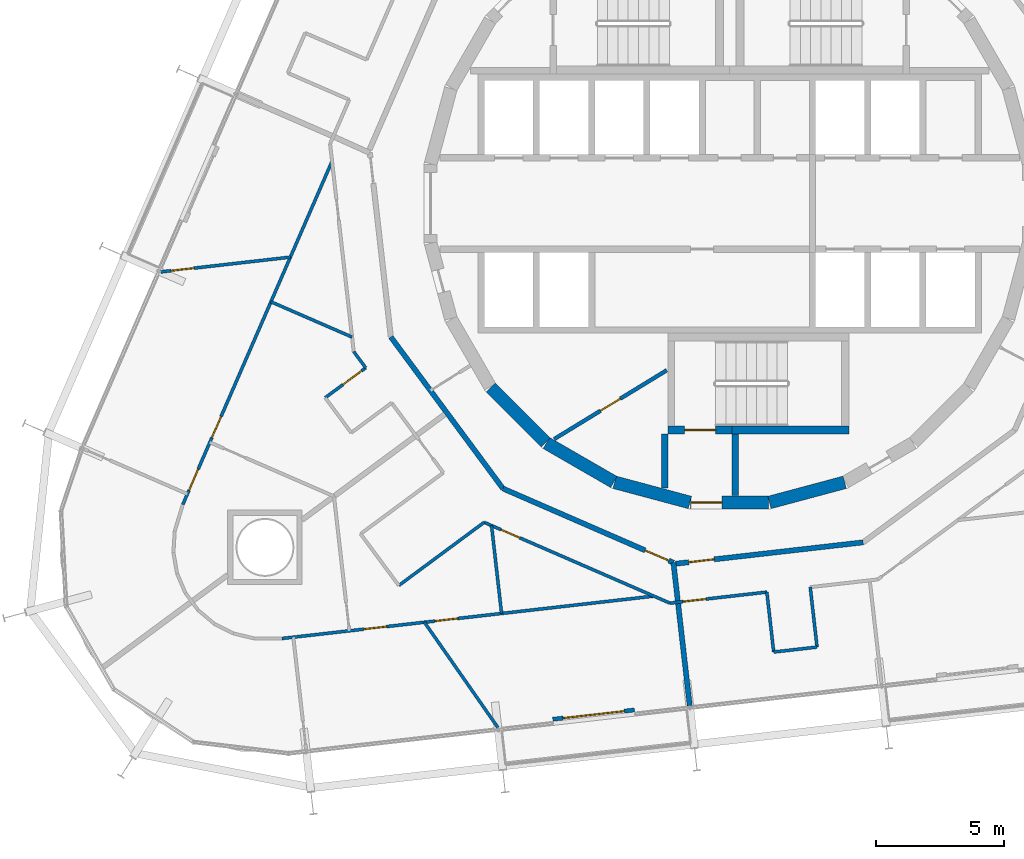
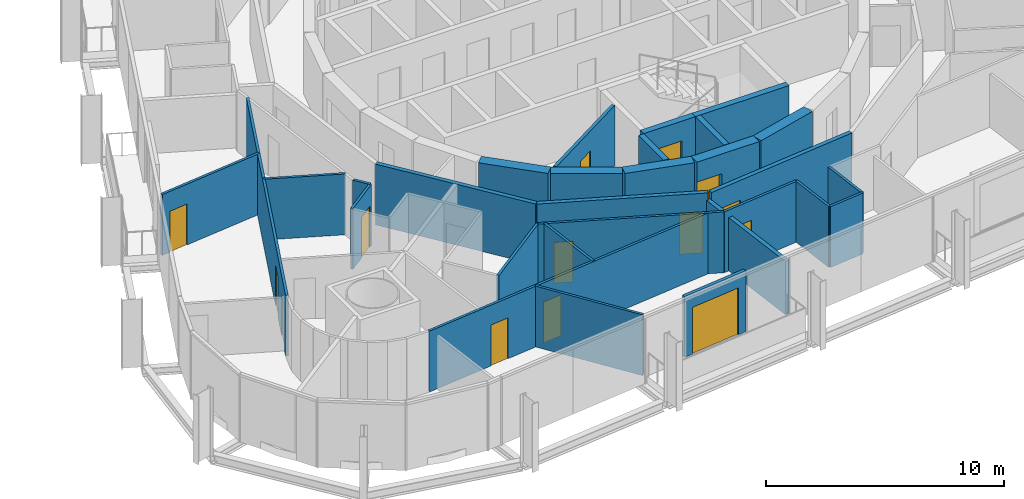
# One storey, part 14 of 21: 29 walls, 14 doors, 14 openings.
"""IFC4 building model written with IfcOpenShell, lengths in metres."""

from ifc_helpers import new_model, si_unit, direction, frame, frame_2d, origin, place, context, subcontext, project, spatial, rectangle, extrude, material, layer, layer_set, type_object, element, fill, save


model = new_model("IFC4")

# Units and contexts
model_context = context("Model", 3, precision=1e-05, world=origin(), true_north=direction((0.0, 1.0)))
body_context = subcontext(model_context, "Body", "Model", "MODEL_VIEW")
ifc_project = project(units=[si_unit("LENGTHUNIT", "METRE"), si_unit("AREAUNIT", "SQUARE_METRE"), si_unit("VOLUMEUNIT", "CUBIC_METRE"), si_unit("PLANEANGLEUNIT", "RADIAN"), si_unit("MASSUNIT", "GRAM", prefix="KILO")], contexts=[model_context])

# Site, building, storey
site_placement = place(None, origin())
site = spatial("IfcSite", under=ifc_project, at=site_placement, CompositionType="ELEMENT")
building_placement = place(site_placement, origin())
building = spatial("IfcBuilding", under=site, at=building_placement, Name="Spindle Arch Residences", CompositionType="ELEMENT")
storey_placement = place(building_placement, frame((0.0, 0.0, 97.699951171875)))
storey = spatial("IfcBuildingStorey", under=building, at=storey_placement, Name="L23", CompositionType="ELEMENT", Elevation=97.699951171875)

# Walls
ifc_material_1 = material(Name="Concrete C50/60", Category="concrete")
ifc_layer_1 = layer(ifc_material_1, 0.5)
ifc_layer_set_1 = layer_set([ifc_layer_1], Name="Core outline wall 500")
wall_type_1 = type_object("IfcWallType", Name="Core outline wall 500", PredefinedType="SHEAR", material=ifc_layer_set_1)
wall_1_placement = place(storey_placement, frame((1.5498046875, -11.642822265625, 0.0), z_axis=(0.0, 0.0, 1.0), x_axis=(0.965948410781, 0.258734743916, 0.0)))
element("IfcWall", 1, at=wall_1_placement, inside=storey, type_object=wall_type_1, Name="Core outline wall 1", PredefinedType="SHEAR", context=body_context, shape_type="SweptSolid", body=[
    extrude(rectangle(XDim=3.03271484375, YDim=0.5, at=frame_2d((1.516357421875, 0.0))), origin(), (0.0, 0.0, 1.0), 3.1201171875),
])
wall_2_placement = place(storey_placement, frame((-9.30810546875, -7.163818359375, 0.0), z_axis=(0.0, 0.0, 1.0), x_axis=(0.707106781187, -0.707106781187, 0.0)))
element("IfcWall", 2, at=wall_2_placement, inside=storey, type_object=wall_type_1, Name="Core outline wall 21", PredefinedType="SHEAR", context=body_context, shape_type="SweptSolid", body=[
    extrude(rectangle(XDim=3.032470703125, YDim=0.5, at=frame_2d((1.51611328125, 0.0))), origin(), (0.0, 0.0, 1.0), 3.1201171875),
])
for number, where, z_axis, x_axis, name in (
    (3, (-7.13671875, -9.32861328125, 0.0), (0.0, 0.0, 1.0), (0.865975092491, -0.500087131594, 0.0), "Core outline wall 22"),
    (4, (-4.479248046875, -10.858154296875, 0.0), (0.0, 0.0, 1.0), (0.965948410781, -0.258734743916, 0.0), "Core outline wall 23"),
):
    element("IfcWall", number, at=place(storey_placement, frame(where, z_axis=z_axis, x_axis=x_axis)), inside=storey, type_object=wall_type_1, Name=name, PredefinedType="SHEAR", context=body_context, shape_type="SweptSolid", body=[
        extrude(rectangle(XDim=3.03271484375, YDim=0.5, at=frame_2d((1.516357421875, 0.0))), origin(), (0.0, 0.0, 1.0), 3.1201171875),
    ])

# Wall, opening, door
wall_3_placement = place(storey_placement, frame((-1.516357421875, -11.647216796875, 0.0), z_axis=(0.0, 0.0, 1.0), x_axis=(1.0, 0.0, 0.0)))
wall_3 = element("IfcWall", 5, at=wall_3_placement, inside=storey, type_object=wall_type_1, Name="Core outline wall 24", PredefinedType="SHEAR", context=body_context, shape_type="SweptSolid", body=[
    extrude(rectangle(XDim=3.03271484375, YDim=0.5, at=frame_2d((1.516357421875, 0.0))), origin(), (0.0, 0.0, 1.0), 3.1201171875),
])
opening_1_placement = place(wall_3_placement, frame((0.016357421875, 0.0, 0.0)))
opening_1 = element("IfcOpeningElement", 6, at=opening_1_placement, cuts=wall_3, Name="Opening R2C0-AD03", PredefinedType="OPENING", context=body_context, shape_type="SweptSolid", body=[
    extrude(rectangle(XDim=1.199951171875, YDim=2.10009765625, at=frame_2d((0.60009765625, 1.050048828125))), frame((0.0, 0.260009765625, 0.0), z_axis=(0.0, -1.0, 0.0), x_axis=(1.0, 0.0, 0.0)), (0.0, 0.0, 1.0), 0.52001953125),
])
ifc_material_2 = material(Name="Steel, fire-resisting door", Category="steel")
door_type_1 = type_object("IfcDoorType", Name="Stair airlock door 1200x2100", OperationType="SINGLE_SWING_LEFT", PredefinedType="DOOR", material=ifc_material_2)
door_1_placement = place(opening_1_placement, origin())
door_1 = element("IfcDoor", 7, at=door_1_placement, inside=storey, type_object=door_type_1, Name="Stair airlock door R2C0-AD03", OperationType="SINGLE_SWING_RIGHT", OverallHeight=2.10009765625, OverallWidth=1.199951171875, PredefinedType="DOOR", context=body_context, shape_type="SweptSolid", body=[
    extrude(rectangle(XDim=1.199951171875, YDim=2.10009765625, at=frame_2d((0.60009765625, 1.050048828125))), frame((0.0, 0.02490234375, 0.0), z_axis=(0.0, -1.0, 0.0), x_axis=(1.0, 0.0, 0.0)), (0.0, 0.0, 1.0), 0.050048828125),
])
fill(opening_1, door_1)

# Wall
ifc_material_3 = material(Name="Calcium silicate block, plastered")
ifc_layer_2 = layer(ifc_material_3, 0.199951171875)
ifc_layer_set_2 = layer_set([ifc_layer_2], Name="Corridor wall 200")
wall_type_2 = type_object("IfcWallType", Name="Corridor wall 200", PredefinedType="STANDARD", material=ifc_layer_set_2)
wall_4_placement = place(storey_placement, frame((-13.1962890625, -5.1982421875, 0.0), z_axis=(0.0, 0.0, 1.0), x_axis=(0.594805187394, -0.803869883159, 0.0)))
element("IfcWall", 8, at=wall_4_placement, inside=storey, type_object=wall_type_2, Name="Corridor wall R2C0-W012", PredefinedType="STANDARD", context=body_context, shape_type="SweptSolid", body=[
    extrude(rectangle(XDim=7.341796875, YDim=0.199951171875, at=frame_2d((3.6708984375, 0.0))), origin(), (0.0, 0.0, 1.0), 3.1201171875),
])

# Wall, opening, door
wall_5_placement = place(storey_placement, frame((-8.829345703125, -11.10009765625, 0.0), z_axis=(0.0, 0.0, 1.0), x_axis=(0.917063622491, -0.398740908742, 0.0)))
wall_5 = element("IfcWall", 9, at=wall_5_placement, inside=storey, type_object=wall_type_2, Name="Corridor wall R2C0-W013", PredefinedType="STANDARD", context=body_context, shape_type="SweptSolid", body=[
    extrude(rectangle(XDim=7.239501953125, YDim=0.199951171875, at=frame_2d((3.61962890625, 0.0))), origin(), (0.0, 0.0, 1.0), 3.1201171875),
])
opening_2_placement = place(wall_5_placement, frame((6.03955078125, 0.0, 0.0)))
opening_2 = element("IfcOpeningElement", 10, at=opening_2_placement, cuts=wall_5, Name="Opening R2C0-FD05", PredefinedType="OPENING", context=body_context, shape_type="SweptSolid", body=[
    extrude(rectangle(XDim=1.0, YDim=2.10009765625, at=frame_2d((0.5, 1.050048828125))), frame((0.0, 0.10986328125, 0.0), z_axis=(0.0, -1.0, 0.0), x_axis=(1.0, 0.0, 0.0)), (0.0, 0.0, 1.0), 0.219970703125),
])
ifc_material_4 = material(Name="Timber, fire-resisting door set", Category="wood")
door_type_2 = type_object("IfcDoorType", Name="Flat entrance door 1000x2100", OperationType="NOTDEFINED", PredefinedType="DOOR", material=ifc_material_4)
door_2_placement = place(opening_2_placement, origin())
door_2 = element("IfcDoor", 11, at=door_2_placement, inside=storey, type_object=door_type_2, Name="Flat entrance door R2C0-FD05", OperationType="SINGLE_SWING_LEFT", OverallHeight=2.10009765625, OverallWidth=1.0, PredefinedType="DOOR", context=body_context, shape_type="SweptSolid", body=[
    extrude(rectangle(XDim=1.0, YDim=2.10009765625, at=frame_2d((0.5, 1.050048828125))), frame((0.0, 0.02490234375, 0.0), z_axis=(0.0, -1.0, 0.0), x_axis=(1.0, 0.0, 0.0)), (0.0, 0.0, 1.0), 0.050048828125),
])
fill(opening_2, door_2)

wall_6_placement = place(storey_placement, frame((-2.096435546875, -14.027587890625, 0.0), z_axis=(0.0, 0.0, 1.0), x_axis=(0.993569170114, 0.113226782163, 0.0)))
wall_6 = element("IfcWall", 12, at=wall_6_placement, inside=storey, type_object=wall_type_2, Name="Corridor wall R2C0-W014", PredefinedType="STANDARD", context=body_context, shape_type="SweptSolid", body=[
    extrude(rectangle(XDim=7.341796875, YDim=0.199951171875, at=frame_2d((3.6708984375, 0.0))), origin(), (0.0, 0.0, 1.0), 3.1201171875),
])
opening_3_placement = place(wall_6_placement, frame((0.5, 0.0, 0.0)))
opening_3 = element("IfcOpeningElement", 13, at=opening_3_placement, cuts=wall_6, Name="Opening R2C0-FD06", PredefinedType="OPENING", context=body_context, shape_type="SweptSolid", body=[
    extrude(rectangle(XDim=1.0, YDim=2.10009765625, at=frame_2d((0.5, 1.050048828125))), frame((0.0, 0.10986328125, 0.0), z_axis=(0.0, -1.0, 0.0), x_axis=(1.0, 0.0, 0.0)), (0.0, 0.0, 1.0), 0.219970703125),
])
door_3_placement = place(opening_3_placement, origin())
door_3 = element("IfcDoor", 14, at=door_3_placement, inside=storey, type_object=door_type_2, Name="Flat entrance door R2C0-FD06", OperationType="SINGLE_SWING_LEFT", OverallHeight=2.10009765625, OverallWidth=1.0, PredefinedType="DOOR", context=body_context, shape_type="SweptSolid", body=[
    extrude(rectangle(XDim=1.0, YDim=2.10009765625, at=frame_2d((0.5, 1.050048828125))), frame((0.0, 0.02490234375, 0.0), z_axis=(0.0, -1.0, 0.0), x_axis=(1.0, 0.0, 0.0)), (0.0, 0.0, 1.0), 0.050048828125),
])
fill(opening_3, door_3)

# Wall
ifc_material_5 = material(Name="Plasterboard on steel studs", Category="steel")
ifc_layer_3 = layer(ifc_material_5, 0.1201171875)
ifc_layer_set_3 = layer_set([ifc_layer_3], Name="Flat partition 120")
wall_type_3 = type_object("IfcWallType", Name="Flat partition 120", PredefinedType="PARTITIONING", material=ifc_layer_set_3)
wall_7_placement = place(storey_placement, frame((-14.64111328125, -5.767333984375, 0.0), z_axis=(0.0, 0.0, 1.0), x_axis=(0.594601337861, -0.804020676982, 0.0)))
element("IfcWall", 15, at=wall_7_placement, inside=storey, type_object=wall_type_3, Name="Flat partition R2C0-W084", PredefinedType="PARTITIONING", context=body_context, shape_type="SweptSolid", body=[
    extrude(rectangle(XDim=0.783447265625, YDim=0.1201171875, at=frame_2d((0.3916015625, 0.0))), origin(), (0.0, 0.0, 1.0), 3.1201171875),
])

# Wall, opening, door
wall_8_placement = place(storey_placement, frame((-14.17529296875, -6.397216796875, 0.0), z_axis=(0.0, 0.0, 1.0), x_axis=(-0.803901491033, -0.594762467474, 0.0)))
wall_8 = element("IfcWall", 16, at=wall_8_placement, inside=storey, type_object=wall_type_3, Name="Flat partition R2C0-W085", PredefinedType="PARTITIONING", context=body_context, shape_type="SweptSolid", body=[
    extrude(rectangle(XDim=1.958740234375, YDim=0.1201171875, at=frame_2d((0.9794921875, 0.0))), origin(), (0.0, 0.0, 1.0), 3.1201171875),
])
opening_4_placement = place(wall_8_placement, frame((0.199951171875, 0.0, 0.0)))
opening_4 = element("IfcOpeningElement", 17, at=opening_4_placement, cuts=wall_8, Name="Opening R2C0-ID21", PredefinedType="OPENING", context=body_context, shape_type="SweptSolid", body=[
    extrude(rectangle(XDim=0.89990234375, YDim=2.10009765625, at=frame_2d((0.449951171875, 1.050048828125))), frame((0.0, 0.070068359375, 0.0), z_axis=(0.0, -1.0, 0.0), x_axis=(1.0, 0.0, 0.0)), (0.0, 0.0, 1.0), 0.14013671875),
])
ifc_material_6 = material(Name="Timber door set", Category="wood")
door_type_3 = type_object("IfcDoorType", Name="Room door 900x2100", OperationType="NOTDEFINED", PredefinedType="DOOR", material=ifc_material_6)
door_4_placement = place(opening_4_placement, origin())
door_4 = element("IfcDoor", 18, at=door_4_placement, inside=storey, type_object=door_type_3, Name="Room door R2C0-ID21", OperationType="SINGLE_SWING_RIGHT", OverallHeight=2.10009765625, OverallWidth=0.89990234375, PredefinedType="DOOR", context=body_context, shape_type="SweptSolid", body=[
    extrude(rectangle(XDim=0.89990234375, YDim=2.10009765625, at=frame_2d((0.449951171875, 1.050048828125))), frame((0.0, 0.02490234375, 0.0), z_axis=(0.0, -1.0, 0.0), x_axis=(1.0, 0.0, 0.0)), (0.0, 0.0, 1.0), 0.050048828125),
])
fill(opening_4, door_4)

# Wall, openings, doors
wall_9_placement = place(storey_placement, frame((-21.298095703125, -11.72216796875, 0.0), z_axis=(0.0, 0.0, 1.0), x_axis=(0.398738972546, 0.91706446435, 0.0)))
wall_9 = element("IfcWall", 19, at=wall_9_placement, inside=storey, type_object=wall_type_3, Name="Flat partition R2C0-W089", PredefinedType="PARTITIONING", context=body_context, shape_type="SweptSolid", body=[
    extrude(rectangle(XDim=14.57666015625, YDim=0.1201171875, at=frame_2d((7.288330078125, 0.0))), origin(), (0.0, 0.0, 1.0), 3.1201171875),
])
opening_5_placement = place(wall_9_placement, frame((2.8408203125, 0.0, 0.0)))
opening_5 = element("IfcOpeningElement", 20, at=opening_5_placement, cuts=wall_9, Name="Opening R2C0-ID22", PredefinedType="OPENING", context=body_context, shape_type="SweptSolid", body=[
    extrude(rectangle(XDim=0.89990234375, YDim=2.10009765625, at=frame_2d((0.449951171875, 1.050048828125))), frame((0.0, 0.070068359375, 0.0), z_axis=(0.0, -1.0, 0.0), x_axis=(1.0, 0.0, 0.0)), (0.0, 0.0, 1.0), 0.14013671875),
])
opening_6_placement = place(wall_9_placement, frame((0.60546875, 0.0, 0.0)))
opening_6 = element("IfcOpeningElement", 21, at=opening_6_placement, cuts=wall_9, Name="Opening R2C0-ID26", PredefinedType="OPENING", context=body_context, shape_type="SweptSolid", body=[
    extrude(rectangle(XDim=0.89990234375, YDim=2.10009765625, at=frame_2d((0.449951171875, 1.050048828125))), frame((0.0, 0.070068359375, 0.0), z_axis=(0.0, -1.0, 0.0), x_axis=(1.0, 0.0, 0.0)), (0.0, 0.0, 1.0), 0.14013671875),
])
door_5_placement = place(opening_5_placement, origin())
door_5 = element("IfcDoor", 22, at=door_5_placement, inside=storey, type_object=door_type_3, Name="Room door R2C0-ID22", OperationType="SINGLE_SWING_RIGHT", OverallHeight=2.10009765625, OverallWidth=0.89990234375, PredefinedType="DOOR", context=body_context, shape_type="SweptSolid", body=[
    extrude(rectangle(XDim=0.89990234375, YDim=2.10009765625, at=frame_2d((0.449951171875, 1.050048828125))), frame((0.0, 0.02490234375, 0.0), z_axis=(0.0, -1.0, 0.0), x_axis=(1.0, 0.0, 0.0)), (0.0, 0.0, 1.0), 0.050048828125),
])
fill(opening_5, door_5)
door_6_placement = place(opening_6_placement, origin())
door_6 = element("IfcDoor", 23, at=door_6_placement, inside=storey, type_object=door_type_3, Name="Room door R2C0-ID26", OperationType="SINGLE_SWING_LEFT", OverallHeight=2.10009765625, OverallWidth=0.89990234375, PredefinedType="DOOR", context=body_context, shape_type="SweptSolid", body=[
    extrude(rectangle(XDim=0.89990234375, YDim=2.10009765625, at=frame_2d((0.449951171875, 1.050048828125))), frame((0.0, 0.02490234375, 0.0), z_axis=(0.0, -1.0, 0.0), x_axis=(1.0, 0.0, 0.0)), (0.0, 0.0, 1.0), 0.050048828125),
])
fill(opening_6, door_6)

# Wall, opening, door
wall_10_placement = place(storey_placement, frame((-22.157470703125, -2.663818359375, 0.0), z_axis=(0.0, 0.0, 1.0), x_axis=(0.993571026426, 0.113210491767, 0.0)))
wall_10 = element("IfcWall", 24, at=wall_10_placement, inside=storey, type_object=wall_type_3, Name="Flat partition R2C0-W090", PredefinedType="PARTITIONING", context=body_context, shape_type="SweptSolid", body=[
    extrude(rectangle(XDim=5.080810546875, YDim=0.1201171875, at=frame_2d((2.54052734375, 0.0))), origin(), (0.0, 0.0, 1.0), 3.1201171875),
])
opening_7_placement = place(wall_10_placement, frame((0.39990234375, 0.0, 0.0)))
opening_7 = element("IfcOpeningElement", 25, at=opening_7_placement, cuts=wall_10, Name="Opening R2C0-ID24", PredefinedType="OPENING", context=body_context, shape_type="SweptSolid", body=[
    extrude(rectangle(XDim=0.89990234375, YDim=2.10009765625, at=frame_2d((0.449951171875, 1.050048828125))), frame((0.0, 0.070068359375, 0.0), z_axis=(0.0, -1.0, 0.0), x_axis=(1.0, 0.0, 0.0)), (0.0, 0.0, 1.0), 0.14013671875),
])
door_7_placement = place(opening_7_placement, origin())
door_7 = element("IfcDoor", 26, at=door_7_placement, inside=storey, type_object=door_type_3, Name="Room door R2C0-ID24", OperationType="SINGLE_SWING_LEFT", OverallHeight=2.10009765625, OverallWidth=0.89990234375, PredefinedType="DOOR", context=body_context, shape_type="SweptSolid", body=[
    extrude(rectangle(XDim=0.89990234375, YDim=2.10009765625, at=frame_2d((0.449951171875, 1.050048828125))), frame((0.0, 0.02490234375, 0.0), z_axis=(0.0, -1.0, 0.0), x_axis=(1.0, 0.0, 0.0)), (0.0, 0.0, 1.0), 0.050048828125),
])
fill(opening_7, door_7)

# Walls
wall_11_placement = place(storey_placement, frame((-17.865478515625, -3.827392578125, 0.0), z_axis=(0.0, 0.0, 1.0), x_axis=(0.917043017742, -0.398788294224, 0.0)))
element("IfcWall", 27, at=wall_11_placement, inside=storey, type_object=wall_type_3, Name="Flat partition R2C0-W091", PredefinedType="PARTITIONING", context=body_context, shape_type="SweptSolid", body=[
    extrude(rectangle(XDim=3.445556640625, YDim=0.1201171875, at=frame_2d((1.72265625, 0.0))), origin(), (0.0, 0.0, 1.0), 3.1201171875),
])
wall_12_placement = place(storey_placement, frame((-12.886474609375, -14.876708984375, 0.0), z_axis=(0.0, 0.0, 1.0), x_axis=(0.803816491389, 0.594877338761, 0.0)))
element("IfcWall", 28, at=wall_12_placement, inside=storey, type_object=wall_type_3, Name="Flat partition R2C0-W101", PredefinedType="PARTITIONING", context=body_context, shape_type="SweptSolid", body=[
    extrude(rectangle(XDim=4.13525390625, YDim=0.1201171875, at=frame_2d((2.067626953125, 0.0))), origin(), (0.0, 0.0, 1.0), 3.1201171875),
])

# Wall, opening, door
wall_13_placement = place(storey_placement, frame((-9.5625, -12.416748046875, 0.0), z_axis=(0.0, 0.0, 1.0), x_axis=(0.917063169851, -0.398741949767, 0.0)))
wall_13 = element("IfcWall", 29, at=wall_13_placement, inside=storey, type_object=wall_type_3, Name="Flat partition R2C0-W102", PredefinedType="PARTITIONING", context=body_context, shape_type="SweptSolid", body=[
    extrude(rectangle(XDim=7.89111328125, YDim=0.1201171875, at=frame_2d((3.945556640625, 0.0))), origin(), (0.0, 0.0, 1.0), 3.1201171875),
])
opening_8_placement = place(wall_13_placement, frame((0.71484375, 0.0, 0.0)))
opening_8 = element("IfcOpeningElement", 30, at=opening_8_placement, cuts=wall_13, Name="Opening R2C0-BD05", PredefinedType="OPENING", context=body_context, shape_type="SweptSolid", body=[
    extrude(rectangle(XDim=0.800048828125, YDim=2.10009765625, at=frame_2d((0.39990234375, 1.050048828125))), frame((0.0, 0.070068359375, 0.0), z_axis=(0.0, -1.0, 0.0), x_axis=(1.0, 0.0, 0.0)), (0.0, 0.0, 1.0), 0.14013671875),
])
ifc_material_7 = material(Name="Timber door set", Category="wood")
door_type_4 = type_object("IfcDoorType", Name="Bathroom door 800x2100", OperationType="NOTDEFINED", PredefinedType="DOOR", material=ifc_material_7)
door_8_placement = place(opening_8_placement, origin())
door_8 = element("IfcDoor", 31, at=door_8_placement, inside=storey, type_object=door_type_4, Name="Bathroom door R2C0-BD05", OperationType="SINGLE_SWING_LEFT", OverallHeight=2.10009765625, OverallWidth=0.800048828125, PredefinedType="DOOR", context=body_context, shape_type="SweptSolid", body=[
    extrude(rectangle(XDim=0.800048828125, YDim=2.10009765625, at=frame_2d((0.39990234375, 1.050048828125))), frame((0.0, 0.02490234375, 0.0), z_axis=(0.0, -1.0, 0.0), x_axis=(1.0, 0.0, 0.0)), (0.0, 0.0, 1.0), 0.050048828125),
])
fill(opening_8, door_8)

wall_14_placement = place(storey_placement, frame((-2.325927734375, -15.563232421875, 0.0), z_axis=(0.0, 0.0, 1.0), x_axis=(0.993575068384, 0.113175012641, 0.0)))
wall_14 = element("IfcWall", 32, at=wall_14_placement, inside=storey, type_object=wall_type_3, Name="Flat partition R2C0-W103", PredefinedType="PARTITIONING", context=body_context, shape_type="SweptSolid", body=[
    extrude(rectangle(XDim=3.798828125, YDim=0.1201171875, at=frame_2d((1.8994140625, 0.0))), origin(), (0.0, 0.0, 1.0), 3.1201171875),
])
opening_9_placement = place(wall_14_placement, frame((0.513427734375, 0.0, 0.0)))
opening_9 = element("IfcOpeningElement", 33, at=opening_9_placement, cuts=wall_14, Name="Opening R2C0-ID32", PredefinedType="OPENING", context=body_context, shape_type="SweptSolid", body=[
    extrude(rectangle(XDim=0.89990234375, YDim=2.10009765625, at=frame_2d((0.449951171875, 1.050048828125))), frame((0.0, 0.070068359375, 0.0), z_axis=(0.0, -1.0, 0.0), x_axis=(1.0, 0.0, 0.0)), (0.0, 0.0, 1.0), 0.14013671875),
])
door_9_placement = place(opening_9_placement, origin())
door_9 = element("IfcDoor", 34, at=door_9_placement, inside=storey, type_object=door_type_3, Name="Room door R2C0-ID32", OperationType="SINGLE_SWING_LEFT", OverallHeight=2.10009765625, OverallWidth=0.89990234375, PredefinedType="DOOR", context=body_context, shape_type="SweptSolid", body=[
    extrude(rectangle(XDim=0.89990234375, YDim=2.10009765625, at=frame_2d((0.449951171875, 1.050048828125))), frame((0.0, 0.02490234375, 0.0), z_axis=(0.0, -1.0, 0.0), x_axis=(1.0, 0.0, 0.0)), (0.0, 0.0, 1.0), 0.050048828125),
])
fill(opening_9, door_9)

# Wall, openings, doors
wall_15_placement = place(storey_placement, frame((-17.436767578125, -16.940185546875, 0.0), z_axis=(0.0, 0.0, 1.0), x_axis=(0.993573314119, 0.113190412448, 0.0)))
wall_15 = element("IfcWall", 35, at=wall_15_placement, inside=storey, type_object=wall_type_3, Name="Flat partition R2C0-W108", PredefinedType="PARTITIONING", context=body_context, shape_type="SweptSolid", body=[
    extrude(rectangle(XDim=14.576416015625, YDim=0.1201171875, at=frame_2d((7.2880859375, 0.0))), origin(), (0.0, 0.0, 1.0), 3.1201171875),
])
opening_10_placement = place(wall_15_placement, frame((3.20068359375, 0.0, 0.0)))
opening_10 = element("IfcOpeningElement", 36, at=opening_10_placement, cuts=wall_15, Name="Opening R2C0-ID29", PredefinedType="OPENING", context=body_context, shape_type="SweptSolid", body=[
    extrude(rectangle(XDim=0.89990234375, YDim=2.10009765625, at=frame_2d((0.449951171875, 1.050048828125))), frame((0.0, 0.070068359375, 0.0), z_axis=(0.0, -1.0, 0.0), x_axis=(1.0, 0.0, 0.0)), (0.0, 0.0, 1.0), 0.14013671875),
])
opening_11_placement = place(wall_15_placement, frame((5.98486328125, 0.0, 0.0)))
opening_11 = element("IfcOpeningElement", 37, at=opening_11_placement, cuts=wall_15, Name="Opening R2C0-ID30", PredefinedType="OPENING", context=body_context, shape_type="SweptSolid", body=[
    extrude(rectangle(XDim=0.89990234375, YDim=2.10009765625, at=frame_2d((0.449951171875, 1.050048828125))), frame((0.0, 0.070068359375, 0.0), z_axis=(0.0, -1.0, 0.0), x_axis=(1.0, 0.0, 0.0)), (0.0, 0.0, 1.0), 0.14013671875),
])
door_10_placement = place(opening_10_placement, origin())
door_10 = element("IfcDoor", 38, at=door_10_placement, inside=storey, type_object=door_type_3, Name="Room door R2C0-ID29", OperationType="SINGLE_SWING_LEFT", OverallHeight=2.10009765625, OverallWidth=0.89990234375, PredefinedType="DOOR", context=body_context, shape_type="SweptSolid", body=[
    extrude(rectangle(XDim=0.89990234375, YDim=2.10009765625, at=frame_2d((0.449951171875, 1.050048828125))), frame((0.0, 0.02490234375, 0.0), z_axis=(0.0, -1.0, 0.0), x_axis=(1.0, 0.0, 0.0)), (0.0, 0.0, 1.0), 0.050048828125),
])
fill(opening_10, door_10)
door_11_placement = place(opening_11_placement, origin())
door_11 = element("IfcDoor", 39, at=door_11_placement, inside=storey, type_object=door_type_3, Name="Room door R2C0-ID30", OperationType="SINGLE_SWING_LEFT", OverallHeight=2.10009765625, OverallWidth=0.89990234375, PredefinedType="DOOR", context=body_context, shape_type="SweptSolid", body=[
    extrude(rectangle(XDim=0.89990234375, YDim=2.10009765625, at=frame_2d((0.449951171875, 1.050048828125))), frame((0.0, 0.02490234375, 0.0), z_axis=(0.0, -1.0, 0.0), x_axis=(1.0, 0.0, 0.0)), (0.0, 0.0, 1.0), 0.050048828125),
])
fill(opening_11, door_11)

# Walls
wall_16_placement = place(storey_placement, frame((-8.883544921875, -15.9658203125, 0.0), z_axis=(0.0, 0.0, 1.0), x_axis=(-0.113230836929, 0.993568708026, 0.0)))
element("IfcWall", 40, at=wall_16_placement, inside=storey, type_object=wall_type_3, Name="Flat partition R2C0-W111", PredefinedType="PARTITIONING", context=body_context, shape_type="SweptSolid", body=[
    extrude(rectangle(XDim=3.445556640625, YDim=0.1201171875, at=frame_2d((1.72265625, 0.0))), origin(), (0.0, 0.0, 1.0), 3.1201171875),
])
wall_17_placement = place(storey_placement, frame((-9.025634765625, -20.410400390625, 0.0), z_axis=(0.0, 0.0, 1.0), x_axis=(-0.57218083256, 0.82012748695, 0.0)))
element("IfcWall", 41, at=wall_17_placement, inside=storey, type_object=wall_type_3, Name="Flat partition R2C0-W112", PredefinedType="PARTITIONING", context=body_context, shape_type="SweptSolid", body=[
    extrude(rectangle(XDim=5.001953125, YDim=0.1201171875, at=frame_2d((2.5009765625, 0.0))), origin(), (0.0, 0.0, 1.0), 3.1201171875),
])
wall_18_placement = place(storey_placement, frame((1.448486328125, -15.13330078125, 0.0), z_axis=(0.0, 0.0, 1.0), x_axis=(0.113180189053, -0.993574478741, 0.0)))
element("IfcWall", 42, at=wall_18_placement, inside=storey, type_object=wall_type_3, Name="Flat partition R2C0-W113", PredefinedType="PARTITIONING", context=body_context, shape_type="SweptSolid", body=[
    extrude(rectangle(XDim=2.34912109375, YDim=0.1201171875, at=frame_2d((1.174560546875, 0.0))), origin(), (0.0, 0.0, 1.0), 3.1201171875),
])
wall_19_placement = place(storey_placement, frame((1.71435546875, -17.46728515625, 0.0), z_axis=(0.0, 0.0, 1.0), x_axis=(0.993577030812, 0.113157782957, 0.0)))
element("IfcWall", 43, at=wall_19_placement, inside=storey, type_object=wall_type_3, Name="Flat partition R2C0-W114", PredefinedType="PARTITIONING", context=body_context, shape_type="SweptSolid", body=[
    extrude(rectangle(XDim=1.7001953125, YDim=0.1201171875, at=frame_2d((0.85009765625, 0.0))), origin(), (0.0, 0.0, 1.0), 3.1201171875),
])
wall_20_placement = place(storey_placement, frame((3.403564453125, -17.27490234375, 0.0), z_axis=(0.0, 0.0, 1.0), x_axis=(-0.113180189053, 0.993574478741, 0.0)))
element("IfcWall", 44, at=wall_20_placement, inside=storey, type_object=wall_type_3, Name="Flat partition R2C0-W115", PredefinedType="PARTITIONING", context=body_context, shape_type="SweptSolid", body=[
    extrude(rectangle(XDim=2.34912109375, YDim=0.1201171875, at=frame_2d((1.174560546875, 0.0))), origin(), (0.0, 0.0, 1.0), 3.1201171875),
])
ifc_material_8 = material(Name="Calcium silicate block, plastered")
ifc_layer_4 = layer(ifc_material_8, 0.199951171875)
ifc_layer_set_4 = layer_set([ifc_layer_4], Name="Flat party wall 200 under beam 2730")
wall_type_4 = type_object("IfcWallType", Name="Flat party wall 200 under beam 2730", PredefinedType="STANDARD", material=ifc_layer_set_4)
wall_21_placement = place(storey_placement, frame((-1.55517578125, -19.559326171875, 0.0), z_axis=(0.0, 0.0, 1.0), x_axis=(-0.113221250863, 0.993569800443, 0.0)))
element("IfcWall", 45, at=wall_21_placement, inside=storey, type_object=wall_type_4, Name="Flat party wall R2C0-W028", PredefinedType="STANDARD", context=body_context, shape_type="SweptSolid", body=[
    extrude(rectangle(XDim=5.608642578125, YDim=0.199951171875, at=frame_2d((2.80419921875, 0.0))), origin(), (0.0, 0.0, 1.0), 2.72998046875),
])

# Wall, opening, door
ifc_material_9 = material(Name="Non-combustible mineral wool insulated aluminium faced external wall (K0)", Category="aluminium")
ifc_layer_5 = layer(ifc_material_9, 0.159912109375)
ifc_layer_set_5 = layer_set([ifc_layer_5], Name="Insulated external wall panel 160")
wall_type_5 = type_object("IfcWallType", Name="Insulated external wall panel 160", PredefinedType="STANDARD", material=ifc_layer_set_5)
wall_22_placement = place(storey_placement, frame((-6.88916015625, -20.08642578125, 0.0), z_axis=(0.0, 0.0, 1.0), x_axis=(0.993578576686, 0.113144208648, 0.0)))
wall_22 = element("IfcWall", 46, at=wall_22_placement, inside=storey, type_object=wall_type_5, Name="External wall L23 bay 23", PredefinedType="STANDARD", context=body_context, shape_type="SweptSolid", body=[
    extrude(rectangle(XDim=3.199951171875, YDim=0.159912109375, at=frame_2d((1.60009765625, 0.0))), origin(), (0.0, 0.0, 1.0), 3.1201171875),
])
opening_12_placement = place(wall_22_placement, frame((0.39990234375, 0.0, 0.0)))
opening_12 = element("IfcOpeningElement", 47, at=opening_12_placement, cuts=wall_22, Name="Opening BD23", PredefinedType="OPENING", context=body_context, shape_type="SweptSolid", body=[
    extrude(rectangle(XDim=2.39990234375, YDim=2.39990234375, at=frame_2d((1.199951171875, 1.199951171875))), frame((0.0, 0.08984375, 0.0), z_axis=(0.0, -1.0, 0.0), x_axis=(1.0, 0.0, 0.0)), (0.0, 0.0, 1.0), 0.179931640625),
])
ifc_material_10 = material(Name="Bronze aluminium frame, tinted double glazing", Category="aluminium")
door_type_5 = type_object("IfcDoorType", Name="Sliding glazed balcony door 2400x2400", OperationType="DOUBLE_DOOR_SLIDING", PredefinedType="DOOR", material=ifc_material_10)
door_12_placement = place(opening_12_placement, origin())
door_12 = element("IfcDoor", 48, at=door_12_placement, inside=storey, type_object=door_type_5, Name="Balcony door BD23", OperationType="DOUBLE_DOOR_SLIDING", OverallHeight=2.39990234375, OverallWidth=2.39990234375, PredefinedType="DOOR", context=body_context, shape_type="SweptSolid", body=[
    extrude(rectangle(XDim=2.39990234375, YDim=2.39990234375, at=frame_2d((1.199951171875, 1.199951171875))), frame((0.0, 0.02490234375, 0.0), z_axis=(0.0, -1.0, 0.0), x_axis=(1.0, 0.0, 0.0)), (0.0, 0.0, 1.0), 0.050048828125),
])
fill(opening_12, door_12)

ifc_material_11 = material(Name="Concrete C25/30", Category="concrete")
ifc_layer_6 = layer(ifc_material_11, 0.14990234375)
ifc_layer_set_6 = layer_set([ifc_layer_6], Name="Service room partition 150")
wall_type_6 = type_object("IfcWallType", Name="Service room partition 150", PredefinedType="PARTITIONING", material=ifc_layer_set_6)
wall_23_placement = place(storey_placement, frame((-2.451171875, -6.49462890625, 0.0), z_axis=(0.0, 0.0, 1.0), x_axis=(-0.853250115418, -0.521501908471, 0.0)))
wall_23 = element("IfcWall", 49, at=wall_23_placement, inside=storey, type_object=wall_type_6, Name="Core service room partition", PredefinedType="PARTITIONING", context=body_context, shape_type="SweptSolid", body=[
    extrude(rectangle(XDim=5.137451171875, YDim=0.14990234375, at=frame_2d((2.56884765625, 0.0))), origin(), (0.0, 0.0, 1.0), 3.1201171875),
])
opening_13_placement = place(wall_23_placement, frame((2.11865234375, 0.0, 0.0)))
opening_13 = element("IfcOpeningElement", 50, at=opening_13_placement, cuts=wall_23, Name="Opening R2C0-WD05", PredefinedType="OPENING", context=body_context, shape_type="SweptSolid", body=[
    extrude(rectangle(XDim=0.89990234375, YDim=2.10009765625, at=frame_2d((0.449951171875, 1.050048828125))), frame((0.0, 0.0849609375, 0.0), z_axis=(0.0, -1.0, 0.0), x_axis=(1.0, 0.0, 0.0)), (0.0, 0.0, 1.0), 0.169921875),
])
ifc_material_12 = material(Name="Steel, fire-resisting door", Category="steel")
door_type_6 = type_object("IfcDoorType", Name="Service room door 900x2100", OperationType="SINGLE_SWING_LEFT", PredefinedType="DOOR", material=ifc_material_12)
door_13_placement = place(opening_13_placement, origin())
door_13 = element("IfcDoor", 51, at=door_13_placement, inside=storey, type_object=door_type_6, Name="Service room door R2C0-WD05", OperationType="SINGLE_SWING_RIGHT", OverallHeight=2.10009765625, OverallWidth=0.89990234375, PredefinedType="DOOR", context=body_context, shape_type="SweptSolid", body=[
    extrude(rectangle(XDim=0.89990234375, YDim=2.10009765625, at=frame_2d((0.449951171875, 1.050048828125))), frame((0.0, 0.02490234375, 0.0), z_axis=(0.0, -1.0, 0.0), x_axis=(1.0, 0.0, 0.0)), (0.0, 0.0, 1.0), 0.050048828125),
])
fill(opening_13, door_13)

# Walls
ifc_material_13 = material(Name="Concrete C40/50", Category="concrete")
ifc_layer_7 = layer(ifc_material_13, 0.25)
ifc_layer_set_7 = layer_set([ifc_layer_7], Name="Stair airlock wall 250")
wall_type_7 = type_object("IfcWallType", Name="Stair airlock wall 250", PredefinedType="SHEAR", material=ifc_layer_set_7)
wall_24_placement = place(storey_placement, frame((-2.52490234375, -8.969970703125, 0.0), z_axis=(0.0, 0.0, 1.0), x_axis=(0.0, -1.0, 0.0)))
element("IfcWall", 52, at=wall_24_placement, inside=storey, type_object=wall_type_7, Name="Stair ST-3 airlock wall W", PredefinedType="SHEAR", context=body_context, shape_type="SweptSolid", body=[
    extrude(rectangle(XDim=2.110107421875, YDim=0.25, at=frame_2d((1.05517578125, 0.0))), origin(), (0.0, 0.0, 1.0), 3.1201171875),
])
wall_25_placement = place(storey_placement, frame((0.22509765625, -8.969970703125, 0.0), z_axis=(0.0, 0.0, 1.0), x_axis=(0.0, -1.0, 0.0)))
element("IfcWall", 53, at=wall_25_placement, inside=storey, type_object=wall_type_7, Name="Stair ST-3 airlock wall E", PredefinedType="SHEAR", context=body_context, shape_type="SweptSolid", body=[
    extrude(rectangle(XDim=2.409912109375, YDim=0.25, at=frame_2d((1.205078125, 0.0))), origin(), (0.0, 0.0, 1.0), 3.1201171875),
])
ifc_material_14 = material(Name="Concrete C50/60", Category="concrete")
ifc_layer_8 = layer(ifc_material_14, 0.300048828125)
ifc_layer_set_8 = layer_set([ifc_layer_8], Name="Stair enclosure wall 300")
wall_type_8 = type_object("IfcWallType", Name="Stair enclosure wall 300", PredefinedType="SHEAR", material=ifc_layer_set_8)
wall_26_placement = place(storey_placement, frame((0.10009765625, -8.820068359375, 0.0), z_axis=(0.0, 0.0, 1.0), x_axis=(1.0, 0.0, 0.0)))
element("IfcWall", 54, at=wall_26_placement, inside=storey, type_object=wall_type_8, Name="Stair ST-3 enclosure wall S", PredefinedType="SHEAR", context=body_context, shape_type="SweptSolid", body=[
    extrude(rectangle(XDim=4.5498046875, YDim=0.300048828125, at=frame_2d((2.27490234375, 0.0))), origin(), (0.0, 0.0, 1.0), 3.1201171875),
])

# Wall, opening, door
wall_27_placement = place(storey_placement, frame((-2.39990234375, -8.820068359375, 0.0), z_axis=(0.0, 0.0, 1.0), x_axis=(1.0, 0.0, 0.0)))
wall_27 = element("IfcWall", 55, at=wall_27_placement, inside=storey, type_object=wall_type_8, Name="Stair ST-3 door wall", PredefinedType="SHEAR", context=body_context, shape_type="SweptSolid", body=[
    extrude(rectangle(XDim=2.5, YDim=0.300048828125, at=frame_2d((1.25, 0.0))), origin(), (0.0, 0.0, 1.0), 3.1201171875),
])
opening_14_placement = place(wall_27_placement, frame((0.64990234375, 0.0, 0.0)))
opening_14 = element("IfcOpeningElement", 56, at=opening_14_placement, cuts=wall_27, Name="Opening R2C0-SD03", PredefinedType="OPENING", context=body_context, shape_type="SweptSolid", body=[
    extrude(rectangle(XDim=1.199951171875, YDim=2.10009765625, at=frame_2d((0.60009765625, 1.050048828125))), frame((0.0, 0.16015625, 0.0), z_axis=(0.0, -1.0, 0.0), x_axis=(1.0, 0.0, 0.0)), (0.0, 0.0, 1.0), 0.320068359375),
])
ifc_material_15 = material(Name="Steel, fire-resisting door", Category="steel")
door_type_7 = type_object("IfcDoorType", Name="Stair door 1200x2100", OperationType="SINGLE_SWING_RIGHT", PredefinedType="DOOR", material=ifc_material_15)
door_14_placement = place(opening_14_placement, origin())
door_14 = element("IfcDoor", 57, at=door_14_placement, inside=storey, type_object=door_type_7, Name="Stair door R2C0-SD03", OperationType="SINGLE_SWING_LEFT", OverallHeight=2.10009765625, OverallWidth=1.199951171875, PredefinedType="DOOR", context=body_context, shape_type="SweptSolid", body=[
    extrude(rectangle(XDim=1.199951171875, YDim=2.10009765625, at=frame_2d((0.60009765625, 1.050048828125))), frame((0.0, 0.02490234375, 0.0), z_axis=(0.0, -1.0, 0.0), x_axis=(1.0, 0.0, 0.0)), (0.0, 0.0, 1.0), 0.050048828125),
])
fill(opening_14, door_14)

save(model, "model.ifc")
